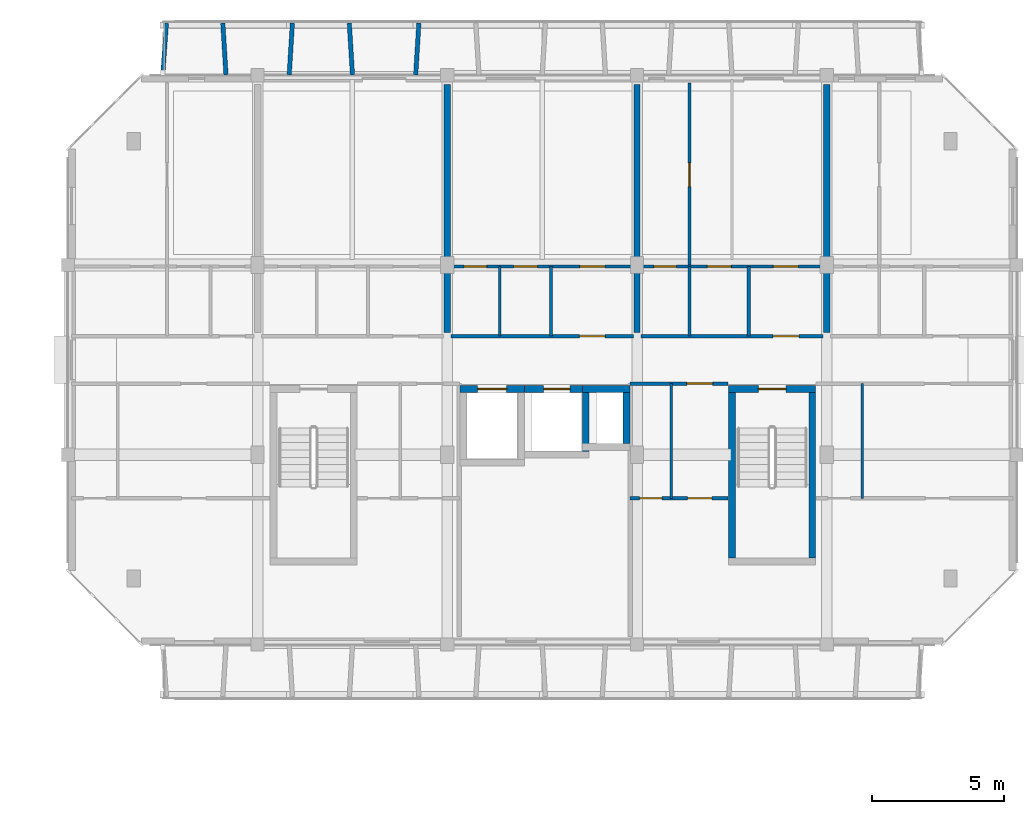
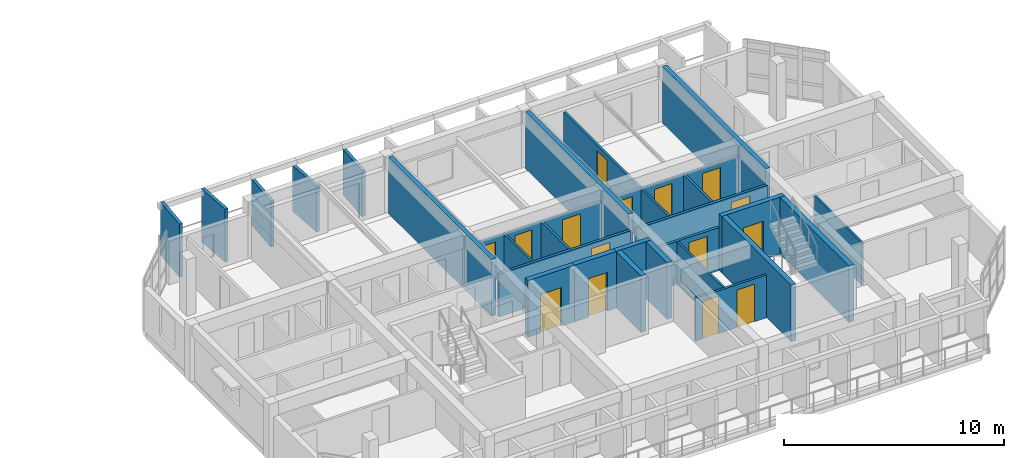
# One storey, part 28 of 45: 29 walls, 15 doors, 15 openings.
"""IFC4 building model written with IfcOpenShell, lengths in metres."""

from ifc_helpers import new_model, si_unit, direction, frame, frame_2d, origin, place, context, subcontext, project, spatial, rectangle, extrude, material, layer, layer_set, type_object, element, fill, save


model = new_model("IFC4")

# Units and contexts
model_context = context("Model", 3, precision=1e-05, world=origin(), true_north=direction((0.0, 1.0)))
body_context = subcontext(model_context, "Body", "Model", "MODEL_VIEW")
ifc_project = project(units=[si_unit("LENGTHUNIT", "METRE"), si_unit("AREAUNIT", "SQUARE_METRE"), si_unit("VOLUMEUNIT", "CUBIC_METRE"), si_unit("PLANEANGLEUNIT", "RADIAN"), si_unit("MASSUNIT", "GRAM", prefix="KILO")], contexts=[model_context])

# Site, building, storey
site_placement = place(None, origin())
site = spatial("IfcSite", under=ifc_project, at=site_placement, CompositionType="ELEMENT")
building_placement = place(site_placement, origin())
building = spatial("IfcBuilding", under=site, at=building_placement, Name="Ochrevale Crest", CompositionType="ELEMENT")
storey_placement = place(building_placement, frame((0.0, 0.0, 18.14990234375)))
storey = spatial("IfcBuildingStorey", under=building, at=storey_placement, Name="L05", CompositionType="ELEMENT", Elevation=18.14990234375)

# Wall, opening, door
ifc_material_1 = material(Name="Gypsum plasterboard", Category="gypsum")
ifc_layer_1 = layer(ifc_material_1, 0.139892578125)
ifc_layer_set_1 = layer_set([ifc_layer_1], Name="Gypsum plasterboard")
wall_type_1 = type_object("IfcWallType", Name="WL-COR-140", PredefinedType="PARTITIONING", material=ifc_layer_set_1)
wall_1_placement = place(storey_placement, frame((144.139892578125, 83.699951171875, 0.0), z_axis=(0.0, 0.0, 1.0), x_axis=(1.0, 0.0, 0.0)))
wall_1 = element("IfcWall", 1, at=wall_1_placement, inside=storey, type_object=wall_type_1, Name="Apartment D-L05-U3 corridor wall", PredefinedType="PARTITIONING", context=body_context, shape_type="SweptSolid", body=[
    extrude(rectangle(XDim=6.920166015625, YDim=0.139892578125, at=frame_2d((3.4599609375, 0.0))), origin(), (0.0, 0.0, 1.0), 2.380126953125),
])
opening_1_placement = place(wall_1_placement, frame((5.85009765625, 0.0, 0.0), z_axis=(0.0, 0.0, 1.0), x_axis=(-1.0, 0.0, 0.0)))
opening_1 = element("IfcOpeningElement", 2, at=opening_1_placement, cuts=wall_1, Name="Opening FD01", PredefinedType="OPENING", context=body_context, shape_type="SweptSolid", body=[
    extrude(rectangle(XDim=0.97998046875, YDim=2.10009765625, at=frame_2d((0.489990234375, 1.050048828125))), frame((0.0, 0.080078125, 0.0), z_axis=(0.0, -1.0, 0.0), x_axis=(1.0, 0.0, 0.0)), (0.0, 0.0, 1.0), 0.159912109375),
])
ifc_material_2 = material(Name="Solid-core FSC hardwood", Category="wood")
door_type_1 = type_object("IfcDoorType", Name="DR-APT-950", OperationType="NOTDEFINED", PredefinedType="DOOR", material=ifc_material_2)
door_1_placement = place(opening_1_placement, origin())
door_1 = element("IfcDoor", 3, at=door_1_placement, inside=storey, type_object=door_type_1, Name="Apartment D-L05-U3 entrance door", OperationType="SINGLE_SWING_RIGHT", OverallHeight=2.10009765625, OverallWidth=0.97998046875, PredefinedType="DOOR", context=body_context, shape_type="SweptSolid", body=[
    extrude(rectangle(XDim=0.97998046875, YDim=2.10009765625, at=frame_2d((0.489990234375, 1.050048828125))), frame((0.0, 0.02490234375, 0.0), z_axis=(0.0, -1.0, 0.0), x_axis=(1.0, 0.0, 0.0)), (0.0, 0.0, 1.0), 0.050048828125),
])
fill(opening_1, door_1)

wall_2_placement = place(storey_placement, frame((151.340087890625, 83.699951171875, 0.0), z_axis=(0.0, 0.0, 1.0), x_axis=(1.0, 0.0, 0.0)))
wall_2 = element("IfcWall", 4, at=wall_2_placement, inside=storey, type_object=wall_type_1, Name="Apartment D-L05-U4 corridor wall", PredefinedType="PARTITIONING", context=body_context, shape_type="SweptSolid", body=[
    extrude(rectangle(XDim=6.919921875, YDim=0.139892578125, at=frame_2d((3.4599609375, 0.0))), origin(), (0.0, 0.0, 1.0), 2.380126953125),
])
opening_2_placement = place(wall_2_placement, frame((6.0, 0.0, 0.0), z_axis=(0.0, 0.0, 1.0), x_axis=(-1.0, 0.0, 0.0)))
opening_2 = element("IfcOpeningElement", 5, at=opening_2_placement, cuts=wall_2, Name="Opening FD01", PredefinedType="OPENING", context=body_context, shape_type="SweptSolid", body=[
    extrude(rectangle(XDim=0.97998046875, YDim=2.10009765625, at=frame_2d((0.489990234375, 1.050048828125))), frame((0.0, 0.080078125, 0.0), z_axis=(0.0, -1.0, 0.0), x_axis=(1.0, 0.0, 0.0)), (0.0, 0.0, 1.0), 0.159912109375),
])
door_2_placement = place(opening_2_placement, origin())
door_2 = element("IfcDoor", 6, at=door_2_placement, inside=storey, type_object=door_type_1, Name="Apartment D-L05-U4 entrance door", OperationType="SINGLE_SWING_RIGHT", OverallHeight=2.10009765625, OverallWidth=0.97998046875, PredefinedType="DOOR", context=body_context, shape_type="SweptSolid", body=[
    extrude(rectangle(XDim=0.97998046875, YDim=2.10009765625, at=frame_2d((0.489990234375, 1.050048828125))), frame((0.0, 0.02490234375, 0.0), z_axis=(0.0, -1.0, 0.0), x_axis=(1.0, 0.0, 0.0)), (0.0, 0.0, 1.0), 0.050048828125),
])
fill(opening_2, door_2)

wall_3_placement = place(storey_placement, frame((150.93994140625, 81.89990234375, 0.0), z_axis=(0.0, 0.0, 1.0), x_axis=(1.0, 0.0, 0.0)))
wall_3 = element("IfcWall", 7, at=wall_3_placement, inside=storey, type_object=wall_type_1, Name="Suite D-L05-ME corridor wall", PredefinedType="PARTITIONING", context=body_context, shape_type="SweptSolid", body=[
    extrude(rectangle(XDim=3.719970703125, YDim=0.139892578125, at=frame_2d((1.85986328125, 0.0))), origin(), (0.0, 0.0, 1.0), 2.380126953125),
])
opening_3_placement = place(wall_3_placement, frame((3.131103515625, 0.0, 0.0), z_axis=(0.0, 0.0, 1.0), x_axis=(-1.0, 0.0, 0.0)))
opening_3 = element("IfcOpeningElement", 8, at=opening_3_placement, cuts=wall_3, Name="Opening FD01", PredefinedType="OPENING", context=body_context, shape_type="SweptSolid", body=[
    extrude(rectangle(XDim=0.97998046875, YDim=2.10009765625, at=frame_2d((0.489990234375, 1.050048828125))), frame((0.0, 0.080078125, 0.0), z_axis=(0.0, -1.0, 0.0), x_axis=(1.0, 0.0, 0.0)), (0.0, 0.0, 1.0), 0.159912109375),
])
door_3_placement = place(opening_3_placement, origin())
door_3 = element("IfcDoor", 9, at=door_3_placement, inside=storey, type_object=door_type_1, Name="Suite D-L05-ME entrance door", OperationType="SINGLE_SWING_RIGHT", OverallHeight=2.10009765625, OverallWidth=0.97998046875, PredefinedType="DOOR", context=body_context, shape_type="SweptSolid", body=[
    extrude(rectangle(XDim=0.97998046875, YDim=2.10009765625, at=frame_2d((0.489990234375, 1.050048828125))), frame((0.0, 0.02490234375, 0.0), z_axis=(0.0, -1.0, 0.0), x_axis=(1.0, 0.0, 0.0)), (0.0, 0.0, 1.0), 0.050048828125),
])
fill(opening_3, door_3)

ifc_material_3 = material(Name="Precast concrete C50/60", Category="concrete")
ifc_layer_2 = layer(ifc_material_3, 0.2548828125)
ifc_layer_set_2 = layer_set([ifc_layer_2], Name="Precast concrete C50/60")
wall_type_2 = type_object("IfcWallType", Name="WL-CORE-255", PredefinedType="SHEAR", material=ifc_layer_set_2)
wall_4_placement = place(storey_placement, frame((154.672607421875, 81.699951171875, 0.0), z_axis=(0.0, 0.0, 1.0), x_axis=(1.0, 0.0, 0.0)))
wall_4 = element("IfcWall", 10, at=wall_4_placement, inside=storey, type_object=wall_type_2, Name="Block D L05 Stair 2 precast core shear wall N", PredefinedType="SHEAR", context=body_context, shape_type="SweptSolid", body=[
    extrude(rectangle(XDim=3.304931640625, YDim=0.2548828125, at=frame_2d((1.65234375, 0.0))), origin(), (0.0, 0.0, 1.0), 3.150146484375),
])
opening_4_placement = place(wall_4_placement, frame((1.12744140625, 0.0, 0.0)))
opening_4 = element("IfcOpeningElement", 11, at=opening_4_placement, cuts=wall_4, Name="Opening FD03", PredefinedType="OPENING", context=body_context, shape_type="SweptSolid", body=[
    extrude(rectangle(XDim=1.050048828125, YDim=2.1201171875, at=frame_2d((0.52490234375, 1.06005859375))), frame((0.0, 0.137451171875, 0.0), z_axis=(0.0, -1.0, 0.0), x_axis=(1.0, 0.0, 0.0)), (0.0, 0.0, 1.0), 0.27490234375),
])
door_type_2 = type_object("IfcDoorType", Name="DR-ST-1050", OperationType="NOTDEFINED", PredefinedType="DOOR", material=ifc_material_2)
door_4_placement = place(opening_4_placement, origin())
door_4 = element("IfcDoor", 12, at=door_4_placement, inside=storey, type_object=door_type_2, Name="Block D L05 fire stair 2 door", OperationType="SINGLE_SWING_LEFT", OverallHeight=2.1201171875, OverallWidth=1.050048828125, PredefinedType="DOOR", context=body_context, shape_type="SweptSolid", body=[
    extrude(rectangle(XDim=1.050048828125, YDim=2.1201171875, at=frame_2d((0.52490234375, 1.06005859375))), frame((0.0, 0.02490234375, 0.0), z_axis=(0.0, -1.0, 0.0), x_axis=(1.0, 0.0, 0.0)), (0.0, 0.0, 1.0), 0.050048828125),
])
fill(opening_4, door_4)

# Walls
for number, where, z_axis, x_axis, name in (
    (13, (154.800048828125, 75.277587890625, 0.0), (0.0, 0.0, 1.0), (0.0, 1.0, 0.0), "Block D L05 Stair 2 precast core shear wall W"),
    (14, (157.85009765625, 75.277587890625, 0.0), (0.0, 0.0, 1.0), (0.0, 1.0, 0.0), "Block D L05 Stair 2 precast core shear wall E"),
):
    element("IfcWall", number, at=place(storey_placement, frame(where, z_axis=z_axis, x_axis=x_axis)), inside=storey, type_object=wall_type_2, Name=name, PredefinedType="SHEAR", context=body_context, shape_type="SweptSolid", body=[
        extrude(rectangle(XDim=6.294921875, YDim=0.2548828125, at=frame_2d((3.1474609375, 0.0))), origin(), (0.0, 0.0, 1.0), 3.150146484375),
    ])

# Wall, opening, door
wall_5_placement = place(storey_placement, frame((144.472412109375, 81.699951171875, 0.0), z_axis=(0.0, 0.0, 1.0), x_axis=(1.0, 0.0, 0.0)))
wall_5 = element("IfcWall", 15, at=wall_5_placement, inside=storey, type_object=wall_type_2, Name="Block D L05 Lift 1 precast shaft shear wall N", PredefinedType="SHEAR", context=body_context, shape_type="SweptSolid", body=[
    extrude(rectangle(XDim=2.455078125, YDim=0.2548828125, at=frame_2d((1.2275390625, 0.0))), origin(), (0.0, 0.0, 1.0), 3.150146484375),
])
opening_5_placement = place(wall_5_placement, frame((0.677490234375, 0.0, 0.0)))
opening_5 = element("IfcOpeningElement", 16, at=opening_5_placement, cuts=wall_5, Name="Opening LD01", PredefinedType="OPENING", context=body_context, shape_type="SweptSolid", body=[
    extrude(rectangle(XDim=1.10009765625, YDim=2.14990234375, at=frame_2d((0.550048828125, 1.074951171875))), frame((0.0, 0.137451171875, 0.0), z_axis=(0.0, -1.0, 0.0), x_axis=(1.0, 0.0, 0.0)), (0.0, 0.0, 1.0), 0.27490234375),
])
door_type_3 = type_object("IfcDoorType", Name="DR-LIFT-1100", OperationType="NOTDEFINED", PredefinedType="DOOR", material=ifc_material_2)
door_5_placement = place(opening_5_placement, origin())
door_5 = element("IfcDoor", 17, at=door_5_placement, inside=storey, type_object=door_type_3, Name="Lift LF-D1 L05 sliding landing door", OperationType="SLIDING_TO_LEFT", OverallHeight=2.14990234375, OverallWidth=1.10009765625, PredefinedType="DOOR", context=body_context, shape_type="SweptSolid", body=[
    extrude(rectangle(XDim=1.10009765625, YDim=2.14990234375, at=frame_2d((0.550048828125, 1.074951171875))), frame((0.0, 0.02490234375, 0.0), z_axis=(0.0, -1.0, 0.0), x_axis=(1.0, 0.0, 0.0)), (0.0, 0.0, 1.0), 0.050048828125),
])
fill(opening_5, door_5)

wall_6_placement = place(storey_placement, frame((146.922607421875, 81.699951171875, 0.0), z_axis=(0.0, 0.0, 1.0), x_axis=(1.0, 0.0, 0.0)))
wall_6 = element("IfcWall", 18, at=wall_6_placement, inside=storey, type_object=wall_type_2, Name="Block D L05 Lift 2 precast shaft shear wall N", PredefinedType="SHEAR", context=body_context, shape_type="SweptSolid", body=[
    extrude(rectangle(XDim=2.454833984375, YDim=0.2548828125, at=frame_2d((1.2275390625, 0.0))), origin(), (0.0, 0.0, 1.0), 3.150146484375),
])
opening_6_placement = place(wall_6_placement, frame((0.7275390625, 0.0, 0.0)))
opening_6 = element("IfcOpeningElement", 19, at=opening_6_placement, cuts=wall_6, Name="Opening LD02", PredefinedType="OPENING", context=body_context, shape_type="SweptSolid", body=[
    extrude(rectangle(XDim=1.0, YDim=2.14990234375, at=frame_2d((0.5, 1.074951171875))), frame((0.0, 0.137451171875, 0.0), z_axis=(0.0, -1.0, 0.0), x_axis=(1.0, 0.0, 0.0)), (0.0, 0.0, 1.0), 0.27490234375),
])
door_type_4 = type_object("IfcDoorType", Name="DR-LIFT-1000", OperationType="NOTDEFINED", PredefinedType="DOOR", material=ifc_material_2)
door_6_placement = place(opening_6_placement, origin())
door_6 = element("IfcDoor", 20, at=door_6_placement, inside=storey, type_object=door_type_4, Name="Lift LP-D2 L05 sliding landing door", OperationType="SLIDING_TO_RIGHT", OverallHeight=2.14990234375, OverallWidth=1.0, PredefinedType="DOOR", context=body_context, shape_type="SweptSolid", body=[
    extrude(rectangle(XDim=1.0, YDim=2.14990234375, at=frame_2d((0.5, 1.074951171875))), frame((0.0, 0.02490234375, 0.0), z_axis=(0.0, -1.0, 0.0), x_axis=(1.0, 0.0, 0.0)), (0.0, 0.0, 1.0), 0.050048828125),
])
fill(opening_6, door_6)

# Walls
wall_7_placement = place(storey_placement, frame((149.25, 79.327392578125, 0.0), z_axis=(0.0, 0.0, 1.0), x_axis=(0.0, 1.0, 0.0)))
element("IfcWall", 21, at=wall_7_placement, inside=storey, type_object=wall_type_2, Name="Block D L05 Lift 2 precast shaft shear wall E", PredefinedType="SHEAR", context=body_context, shape_type="SweptSolid", body=[
    extrude(rectangle(XDim=2.2451171875, YDim=0.2548828125, at=frame_2d((1.12255859375, 0.0))), origin(), (0.0, 0.0, 1.0), 3.150146484375),
])
wall_8_placement = place(storey_placement, frame((149.12255859375, 81.699951171875, 0.0), z_axis=(0.0, 0.0, 1.0), x_axis=(1.0, 0.0, 0.0)))
element("IfcWall", 22, at=wall_8_placement, inside=storey, type_object=wall_type_2, Name="Block D L05 services riser shaft core wall N", PredefinedType="SHEAR", context=body_context, shape_type="SweptSolid", body=[
    extrude(rectangle(XDim=1.804931640625, YDim=0.2548828125, at=frame_2d((0.90234375, 0.0))), origin(), (0.0, 0.0, 1.0), 3.150146484375),
])
wall_9_placement = place(storey_placement, frame((150.800048828125, 79.62744140625, 0.0), z_axis=(0.0, 0.0, 1.0), x_axis=(0.0, 1.0, 0.0)))
element("IfcWall", 23, at=wall_9_placement, inside=storey, type_object=wall_type_2, Name="Block D L05 services riser shaft core wall E", PredefinedType="SHEAR", context=body_context, shape_type="SweptSolid", body=[
    extrude(rectangle(XDim=1.945068359375, YDim=0.2548828125, at=frame_2d((0.97265625, 0.0))), origin(), (0.0, 0.0, 1.0), 3.150146484375),
])
ifc_material_4 = material(Name="Precast concrete C40/50", Category="concrete")
ifc_layer_3 = layer(ifc_material_4, 0.1650390625)
ifc_layer_set_3 = layer_set([ifc_layer_3], Name="Precast concrete C40/50")
wall_type_3 = type_object("IfcWallType", Name="WL-HC-CHEEK-165", PredefinedType="ELEMENTEDWALL", material=ifc_layer_set_3)
wall_10_placement = place(storey_placement, frame((133.199951171875, 93.6201171875, 0.0), z_axis=(0.0, 0.0, 1.0), x_axis=(0.071317687608, 0.997453651772, 0.0)))
element("IfcWall", 24, at=wall_10_placement, inside=storey, type_object=wall_type_3, Name="Block D L05 N precast honeycomb cheek 1", PredefinedType="ELEMENTEDWALL", context=body_context, shape_type="SweptSolid", body=[
    extrude(rectangle(XDim=1.96484375, YDim=0.1650390625, at=frame_2d((0.982421875, 0.0))), origin(), (0.0, 0.0, 1.0), 2.9501953125),
])
wall_11_placement = place(storey_placement, frame((135.60009765625, 93.6201171875, 0.0), z_axis=(0.0, 0.0, 1.0), x_axis=(-0.061170732449, 0.998127317276, 0.0)))
element("IfcWall", 25, at=wall_11_placement, inside=storey, type_object=wall_type_3, Name="Block D L05 N precast honeycomb cheek 2", PredefinedType="ELEMENTEDWALL", context=body_context, shape_type="SweptSolid", body=[
    extrude(rectangle(XDim=1.963623046875, YDim=0.1650390625, at=frame_2d((0.98193359375, 0.0))), origin(), (0.0, 0.0, 1.0), 2.9501953125),
])
for number, where, z_axis, x_axis, name in (
    (26, (138.0, 93.6201171875, 0.0), (0.0, 0.0, 1.0), (0.061170732449, 0.998127317276, 0.0), "Block D L05 N precast honeycomb cheek 3"),
    (27, (140.39990234375, 93.6201171875, 0.0), (0.0, 0.0, 1.0), (-0.061046865508, 0.998134900808, 0.0), "Block D L05 N precast honeycomb cheek 4"),
    (28, (142.800048828125, 93.6201171875, 0.0), (0.0, 0.0, 1.0), (0.061046865508, 0.998134900808, 0.0), "Block D L05 N precast honeycomb cheek 5"),
):
    element("IfcWall", number, at=place(storey_placement, frame(where, z_axis=z_axis, x_axis=x_axis)), inside=storey, type_object=wall_type_3, Name=name, PredefinedType="ELEMENTEDWALL", context=body_context, shape_type="SweptSolid", body=[
        extrude(rectangle(XDim=1.963623046875, YDim=0.1650390625, at=frame_2d((0.98193359375, 0.0))), origin(), (0.0, 0.0, 1.0), 2.550048828125),
    ])
ifc_layer_4 = layer(ifc_material_1, 0.1201171875)
ifc_layer_set_4 = layer_set([ifc_layer_4], Name="Gypsum plasterboard")
wall_type_4 = type_object("IfcWallType", Name="WL-PART-120", PredefinedType="PARTITIONING", material=ifc_layer_set_4)
wall_12_placement = place(storey_placement, frame((147.93994140625, 83.699951171875, 0.0), z_axis=(0.0, 0.0, 1.0), x_axis=(0.0, 1.0, 0.0)))
element("IfcWall", 29, at=wall_12_placement, inside=storey, type_object=wall_type_4, Name="Apartment D-L05-U3 kitchen-foyer wall", PredefinedType="PARTITIONING", context=body_context, shape_type="SweptSolid", body=[
    extrude(rectangle(XDim=2.650146484375, YDim=0.1201171875, at=frame_2d((1.3251953125, 0.0))), origin(), (0.0, 0.0, 1.0), 2.375),
])

# Wall, openings, doors
wall_13_placement = place(storey_placement, frame((144.139892578125, 86.35009765625, 0.0), z_axis=(0.0, 0.0, 1.0), x_axis=(1.0, 0.0, 0.0)))
wall_13 = element("IfcWall", 30, at=wall_13_placement, inside=storey, type_object=wall_type_4, Name="Apartment D-L05-U3 central partition", PredefinedType="PARTITIONING", context=body_context, shape_type="SweptSolid", body=[
    extrude(rectangle(XDim=6.920166015625, YDim=0.1201171875, at=frame_2d((3.4599609375, 0.0))), origin(), (0.0, 0.0, 1.0), 2.375),
])
opening_7_placement = place(wall_13_placement, frame((0.5, 0.0, 0.0)))
opening_7 = element("IfcOpeningElement", 31, at=opening_7_placement, cuts=wall_13, Name="Opening ID01", PredefinedType="OPENING", context=body_context, shape_type="SweptSolid", body=[
    extrude(rectangle(XDim=0.85009765625, YDim=2.080078125, at=frame_2d((0.425048828125, 1.0400390625))), frame((0.0, 0.070068359375, 0.0), z_axis=(0.0, -1.0, 0.0), x_axis=(1.0, 0.0, 0.0)), (0.0, 0.0, 1.0), 0.14013671875),
])
opening_8_placement = place(wall_13_placement, frame((3.27490234375, 0.0, 0.0), z_axis=(0.0, 0.0, 1.0), x_axis=(-1.0, 0.0, 0.0)))
opening_8 = element("IfcOpeningElement", 32, at=opening_8_placement, cuts=wall_13, Name="Opening ID02", PredefinedType="OPENING", context=body_context, shape_type="SweptSolid", body=[
    extrude(rectangle(XDim=0.89990234375, YDim=2.080078125, at=frame_2d((0.449951171875, 1.0400390625))), frame((0.0, 0.070068359375, 0.0), z_axis=(0.0, -1.0, 0.0), x_axis=(1.0, 0.0, 0.0)), (0.0, 0.0, 1.0), 0.14013671875),
])
opening_9_placement = place(wall_13_placement, frame((4.885009765625, 0.0, 0.0)))
opening_9 = element("IfcOpeningElement", 33, at=opening_9_placement, cuts=wall_13, Name="Opening ID06", PredefinedType="OPENING", context=body_context, shape_type="SweptSolid", body=[
    extrude(rectangle(XDim=0.949951171875, YDim=2.080078125, at=frame_2d((0.47509765625, 1.0400390625))), frame((0.0, 0.070068359375, 0.0), z_axis=(0.0, -1.0, 0.0), x_axis=(1.0, 0.0, 0.0)), (0.0, 0.0, 1.0), 0.14013671875),
])
door_type_5 = type_object("IfcDoorType", Name="DR-INT-900", OperationType="NOTDEFINED", PredefinedType="DOOR", material=ifc_material_2)
door_7_placement = place(opening_8_placement, origin())
door_7 = element("IfcDoor", 34, at=door_7_placement, inside=storey, type_object=door_type_5, Name="Apartment D-L05-U3 Kitchen door", OperationType="SINGLE_SWING_RIGHT", OverallHeight=2.080078125, OverallWidth=0.89990234375, PredefinedType="DOOR", context=body_context, shape_type="SweptSolid", body=[
    extrude(rectangle(XDim=0.89990234375, YDim=2.080078125, at=frame_2d((0.449951171875, 1.0400390625))), frame((0.0, 0.02490234375, 0.0), z_axis=(0.0, -1.0, 0.0), x_axis=(1.0, 0.0, 0.0)), (0.0, 0.0, 1.0), 0.050048828125),
])
fill(opening_8, door_7)
door_type_6 = type_object("IfcDoorType", Name="DR-INT-950", OperationType="NOTDEFINED", PredefinedType="DOOR", material=ifc_material_2)
door_8_placement = place(opening_9_placement, origin())
door_8 = element("IfcDoor", 35, at=door_8_placement, inside=storey, type_object=door_type_6, Name="Apartment D-L05-U3 Living Foyer door", OperationType="SINGLE_SWING_LEFT", OverallHeight=2.080078125, OverallWidth=0.949951171875, PredefinedType="DOOR", context=body_context, shape_type="SweptSolid", body=[
    extrude(rectangle(XDim=0.949951171875, YDim=2.080078125, at=frame_2d((0.47509765625, 1.0400390625))), frame((0.0, 0.02490234375, 0.0), z_axis=(0.0, -1.0, 0.0), x_axis=(1.0, 0.0, 0.0)), (0.0, 0.0, 1.0), 0.050048828125),
])
fill(opening_9, door_8)
door_type_7 = type_object("IfcDoorType", Name="DR-WC-850", OperationType="NOTDEFINED", PredefinedType="DOOR", material=ifc_material_2)
door_9_placement = place(opening_7_placement, origin())
door_9 = element("IfcDoor", 36, at=door_9_placement, inside=storey, type_object=door_type_7, Name="Apartment D-L05-U3 Bathroom door", OperationType="SINGLE_SWING_LEFT", OverallHeight=2.080078125, OverallWidth=0.85009765625, PredefinedType="DOOR", context=body_context, shape_type="SweptSolid", body=[
    extrude(rectangle(XDim=0.85009765625, YDim=2.080078125, at=frame_2d((0.425048828125, 1.0400390625))), frame((0.0, 0.02490234375, 0.0), z_axis=(0.0, -1.0, 0.0), x_axis=(1.0, 0.0, 0.0)), (0.0, 0.0, 1.0), 0.050048828125),
])
fill(opening_7, door_9)

# Wall
wall_14_placement = place(storey_placement, frame((155.43994140625, 83.699951171875, 0.0), z_axis=(0.0, 0.0, 1.0), x_axis=(0.0, 1.0, 0.0)))
element("IfcWall", 37, at=wall_14_placement, inside=storey, type_object=wall_type_4, Name="Apartment D-L05-U4 kitchen-foyer wall", PredefinedType="PARTITIONING", context=body_context, shape_type="SweptSolid", body=[
    extrude(rectangle(XDim=2.650146484375, YDim=0.1201171875, at=frame_2d((1.3251953125, 0.0))), origin(), (0.0, 0.0, 1.0), 2.375),
])

# Wall, openings, doors
wall_15_placement = place(storey_placement, frame((151.340087890625, 86.35009765625, 0.0), z_axis=(0.0, 0.0, 1.0), x_axis=(1.0, 0.0, 0.0)))
wall_15 = element("IfcWall", 38, at=wall_15_placement, inside=storey, type_object=wall_type_4, Name="Apartment D-L05-U4 central partition", PredefinedType="PARTITIONING", context=body_context, shape_type="SweptSolid", body=[
    extrude(rectangle(XDim=6.919921875, YDim=0.1201171875, at=frame_2d((3.4599609375, 0.0))), origin(), (0.0, 0.0, 1.0), 2.375),
])
opening_10_placement = place(wall_15_placement, frame((0.5, 0.0, 0.0)))
opening_10 = element("IfcOpeningElement", 39, at=opening_10_placement, cuts=wall_15, Name="Opening ID01", PredefinedType="OPENING", context=body_context, shape_type="SweptSolid", body=[
    extrude(rectangle(XDim=0.85009765625, YDim=2.080078125, at=frame_2d((0.425048828125, 1.0400390625))), frame((0.0, 0.070068359375, 0.0), z_axis=(0.0, -1.0, 0.0), x_axis=(1.0, 0.0, 0.0)), (0.0, 0.0, 1.0), 0.14013671875),
])
opening_11_placement = place(wall_15_placement, frame((3.4248046875, 0.0, 0.0), z_axis=(0.0, 0.0, 1.0), x_axis=(-1.0, 0.0, 0.0)))
opening_11 = element("IfcOpeningElement", 40, at=opening_11_placement, cuts=wall_15, Name="Opening ID02", PredefinedType="OPENING", context=body_context, shape_type="SweptSolid", body=[
    extrude(rectangle(XDim=0.89990234375, YDim=2.080078125, at=frame_2d((0.449951171875, 1.0400390625))), frame((0.0, 0.070068359375, 0.0), z_axis=(0.0, -1.0, 0.0), x_axis=(1.0, 0.0, 0.0)), (0.0, 0.0, 1.0), 0.14013671875),
])
opening_12_placement = place(wall_15_placement, frame((5.034912109375, 0.0, 0.0)))
opening_12 = element("IfcOpeningElement", 41, at=opening_12_placement, cuts=wall_15, Name="Opening ID06", PredefinedType="OPENING", context=body_context, shape_type="SweptSolid", body=[
    extrude(rectangle(XDim=0.949951171875, YDim=2.080078125, at=frame_2d((0.47509765625, 1.0400390625))), frame((0.0, 0.070068359375, 0.0), z_axis=(0.0, -1.0, 0.0), x_axis=(1.0, 0.0, 0.0)), (0.0, 0.0, 1.0), 0.14013671875),
])
door_10_placement = place(opening_11_placement, origin())
door_10 = element("IfcDoor", 42, at=door_10_placement, inside=storey, type_object=door_type_5, Name="Apartment D-L05-U4 Kitchen door", OperationType="SINGLE_SWING_RIGHT", OverallHeight=2.080078125, OverallWidth=0.89990234375, PredefinedType="DOOR", context=body_context, shape_type="SweptSolid", body=[
    extrude(rectangle(XDim=0.89990234375, YDim=2.080078125, at=frame_2d((0.449951171875, 1.0400390625))), frame((0.0, 0.02490234375, 0.0), z_axis=(0.0, -1.0, 0.0), x_axis=(1.0, 0.0, 0.0)), (0.0, 0.0, 1.0), 0.050048828125),
])
fill(opening_11, door_10)
door_11_placement = place(opening_12_placement, origin())
door_11 = element("IfcDoor", 43, at=door_11_placement, inside=storey, type_object=door_type_6, Name="Apartment D-L05-U4 Living Foyer door", OperationType="SINGLE_SWING_LEFT", OverallHeight=2.080078125, OverallWidth=0.949951171875, PredefinedType="DOOR", context=body_context, shape_type="SweptSolid", body=[
    extrude(rectangle(XDim=0.949951171875, YDim=2.080078125, at=frame_2d((0.47509765625, 1.0400390625))), frame((0.0, 0.02490234375, 0.0), z_axis=(0.0, -1.0, 0.0), x_axis=(1.0, 0.0, 0.0)), (0.0, 0.0, 1.0), 0.050048828125),
])
fill(opening_12, door_11)
door_12_placement = place(opening_10_placement, origin())
door_12 = element("IfcDoor", 44, at=door_12_placement, inside=storey, type_object=door_type_7, Name="Apartment D-L05-U4 Bathroom door", OperationType="SINGLE_SWING_LEFT", OverallHeight=2.080078125, OverallWidth=0.85009765625, PredefinedType="DOOR", context=body_context, shape_type="SweptSolid", body=[
    extrude(rectangle(XDim=0.85009765625, YDim=2.080078125, at=frame_2d((0.425048828125, 1.0400390625))), frame((0.0, 0.02490234375, 0.0), z_axis=(0.0, -1.0, 0.0), x_axis=(1.0, 0.0, 0.0)), (0.0, 0.0, 1.0), 0.050048828125),
])
fill(opening_10, door_12)

# Wall, opening, door
wall_16_placement = place(storey_placement, frame((153.18994140625, 86.35009765625, 0.0), z_axis=(0.0, 0.0, 1.0), x_axis=(0.0, 1.0, 0.0)))
wall_16 = element("IfcWall", 45, at=wall_16_placement, inside=storey, type_object=wall_type_4, Name="Apartment D-L05-U4 bedroom partition", PredefinedType="PARTITIONING", context=body_context, shape_type="SweptSolid", body=[
    extrude(rectangle(XDim=6.949951171875, YDim=0.1201171875, at=frame_2d((3.47509765625, 0.0))), origin(), (0.0, 0.0, 1.0), 2.375),
])
opening_13_placement = place(wall_16_placement, frame((3.9248046875, 0.0, 0.0), z_axis=(0.0, 0.0, 1.0), x_axis=(-1.0, 0.0, 0.0)))
opening_13 = element("IfcOpeningElement", 46, at=opening_13_placement, cuts=wall_16, Name="Opening ID02", PredefinedType="OPENING", context=body_context, shape_type="SweptSolid", body=[
    extrude(rectangle(XDim=0.89990234375, YDim=2.080078125, at=frame_2d((0.449951171875, 1.0400390625))), frame((0.0, 0.070068359375, 0.0), z_axis=(0.0, -1.0, 0.0), x_axis=(1.0, 0.0, 0.0)), (0.0, 0.0, 1.0), 0.14013671875),
])
door_13_placement = place(opening_13_placement, origin())
door_13 = element("IfcDoor", 47, at=door_13_placement, inside=storey, type_object=door_type_5, Name="Apartment D-L05-U4 Double Bedroom door", OperationType="SINGLE_SWING_RIGHT", OverallHeight=2.080078125, OverallWidth=0.89990234375, PredefinedType="DOOR", context=body_context, shape_type="SweptSolid", body=[
    extrude(rectangle(XDim=0.89990234375, YDim=2.080078125, at=frame_2d((0.449951171875, 1.0400390625))), frame((0.0, 0.02490234375, 0.0), z_axis=(0.0, -1.0, 0.0), x_axis=(1.0, 0.0, 0.0)), (0.0, 0.0, 1.0), 0.050048828125),
])
fill(opening_13, door_13)

# Wall, openings, doors
wall_17_placement = place(storey_placement, frame((150.93994140625, 77.550048828125, 0.0), z_axis=(0.0, 0.0, 1.0), x_axis=(1.0, 0.0, 0.0)))
wall_17 = element("IfcWall", 48, at=wall_17_placement, inside=storey, type_object=wall_type_4, Name="Suite D-L05-ME internal wall", PredefinedType="PARTITIONING", context=body_context, shape_type="SweptSolid", body=[
    extrude(rectangle(XDim=3.719970703125, YDim=0.1201171875, at=frame_2d((1.85986328125, 0.0))), origin(), (0.0, 0.0, 1.0), 2.380126953125),
])
opening_14_placement = place(wall_17_placement, frame((0.356201171875, 0.0, 0.0)))
opening_14 = element("IfcOpeningElement", 49, at=opening_14_placement, cuts=wall_17, Name="Opening ID01", PredefinedType="OPENING", context=body_context, shape_type="SweptSolid", body=[
    extrude(rectangle(XDim=0.85009765625, YDim=2.080078125, at=frame_2d((0.425048828125, 1.0400390625))), frame((0.0, 0.070068359375, 0.0), z_axis=(0.0, -1.0, 0.0), x_axis=(1.0, 0.0, 0.0)), (0.0, 0.0, 1.0), 0.14013671875),
])
opening_15_placement = place(wall_17_placement, frame((3.10107421875, 0.0, 0.0), z_axis=(0.0, 0.0, 1.0), x_axis=(-1.0, 0.0, 0.0)))
opening_15 = element("IfcOpeningElement", 50, at=opening_15_placement, cuts=wall_17, Name="Opening ID04", PredefinedType="OPENING", context=body_context, shape_type="SweptSolid", body=[
    extrude(rectangle(XDim=0.919921875, YDim=2.080078125, at=frame_2d((0.4599609375, 1.0400390625))), frame((0.0, 0.070068359375, 0.0), z_axis=(0.0, -1.0, 0.0), x_axis=(1.0, 0.0, 0.0)), (0.0, 0.0, 1.0), 0.14013671875),
])
door_type_8 = type_object("IfcDoorType", Name="DR-INT-920", OperationType="NOTDEFINED", PredefinedType="DOOR", material=ifc_material_2)
door_14_placement = place(opening_15_placement, origin())
door_14 = element("IfcDoor", 51, at=door_14_placement, inside=storey, type_object=door_type_8, Name="Suite D-L05-ME Garden Alcove Studio door", OperationType="SINGLE_SWING_RIGHT", OverallHeight=2.080078125, OverallWidth=0.919921875, PredefinedType="DOOR", context=body_context, shape_type="SweptSolid", body=[
    extrude(rectangle(XDim=0.919921875, YDim=2.080078125, at=frame_2d((0.4599609375, 1.0400390625))), frame((0.0, 0.02490234375, 0.0), z_axis=(0.0, -1.0, 0.0), x_axis=(1.0, 0.0, 0.0)), (0.0, 0.0, 1.0), 0.050048828125),
])
fill(opening_15, door_14)
door_15_placement = place(opening_14_placement, origin())
door_15 = element("IfcDoor", 52, at=door_15_placement, inside=storey, type_object=door_type_7, Name="Suite D-L05-ME Bathroom door", OperationType="SINGLE_SWING_LEFT", OverallHeight=2.080078125, OverallWidth=0.85009765625, PredefinedType="DOOR", context=body_context, shape_type="SweptSolid", body=[
    extrude(rectangle(XDim=0.85009765625, YDim=2.080078125, at=frame_2d((0.425048828125, 1.0400390625))), frame((0.0, 0.02490234375, 0.0), z_axis=(0.0, -1.0, 0.0), x_axis=(1.0, 0.0, 0.0)), (0.0, 0.0, 1.0), 0.050048828125),
])
fill(opening_14, door_15)

# Walls
ifc_layer_5 = layer(ifc_material_3, 0.239990234375)
ifc_layer_set_5 = layer_set([ifc_layer_5], Name="Precast concrete C50/60")
wall_type_5 = type_object("IfcWallType", Name="WL-SHEAR-240", PredefinedType="SHEAR", material=ifc_layer_set_5)
for number, where, z_axis, x_axis, name in (
    (53, (144.0, 83.85009765625, 0.0), (0.0, 0.0, 1.0), (0.0, 1.0, 0.0), "Block D L05 load-bearing precast cross-wall X=144.0"),
    (54, (151.199951171875, 83.85009765625, 0.0), (0.0, 0.0, 1.0), (0.0, 1.0, 0.0), "Block D L05 load-bearing precast cross-wall X=151.2"),
    (55, (158.39990234375, 83.85009765625, 0.0), (0.0, 0.0, 1.0), (0.0, 1.0, 0.0), "Block D L05 load-bearing precast cross-wall X=158.4"),
):
    element("IfcWall", number, at=place(storey_placement, frame(where, z_axis=z_axis, x_axis=x_axis)), inside=storey, type_object=wall_type_5, Name=name, PredefinedType="SHEAR", context=body_context, shape_type="SweptSolid", body=[
        extrude(rectangle(XDim=9.39990234375, YDim=0.239990234375, at=frame_2d((4.699951171875, 0.0))), origin(), (0.0, 0.0, 1.0), 3.150146484375),
    ])
ifc_layer_6 = layer(ifc_material_1, 0.10009765625)
ifc_layer_set_6 = layer_set([ifc_layer_6], Name="Gypsum plasterboard")
wall_type_6 = type_object("IfcWallType", Name="WL-WET-100", PredefinedType="PARTITIONING", material=ifc_layer_set_6)
for number, where, z_axis, x_axis, name in (
    (56, (145.989990234375, 83.699951171875, 0.0), (0.0, 0.0, 1.0), (0.0, 1.0, 0.0), "Apartment D-L05-U3 bath-kitchen wall"),
    (57, (153.18994140625, 83.699951171875, 0.0), (0.0, 0.0, 1.0), (0.0, 1.0, 0.0), "Apartment D-L05-U4 bath-kitchen wall"),
):
    element("IfcWall", number, at=place(storey_placement, frame(where, z_axis=z_axis, x_axis=x_axis)), inside=storey, type_object=wall_type_6, Name=name, PredefinedType="PARTITIONING", context=body_context, shape_type="SweptSolid", body=[
        extrude(rectangle(XDim=2.650146484375, YDim=0.10009765625, at=frame_2d((1.3251953125, 0.0))), origin(), (0.0, 0.0, 1.0), 2.375),
    ])
for number, where, z_axis, x_axis, name in (
    (58, (152.50244140625, 77.550048828125, 0.0), (0.0, 0.0, 1.0), (0.0, 1.0, 0.0), "Suite D-L05-ME bathroom divider"),
    (59, (159.739990234375, 77.550048828125, 0.0), (0.0, 0.0, 1.0), (0.0, 1.0, 0.0), "Suite D-L05-CE bathroom divider"),
):
    element("IfcWall", number, at=place(storey_placement, frame(where, z_axis=z_axis, x_axis=x_axis)), inside=storey, type_object=wall_type_6, Name=name, PredefinedType="PARTITIONING", context=body_context, shape_type="SweptSolid", body=[
        extrude(rectangle(XDim=4.349853515625, YDim=0.10009765625, at=frame_2d((2.1748046875, 0.0))), origin(), (0.0, 0.0, 1.0), 2.375),
    ])

save(model, "model.ifc")
